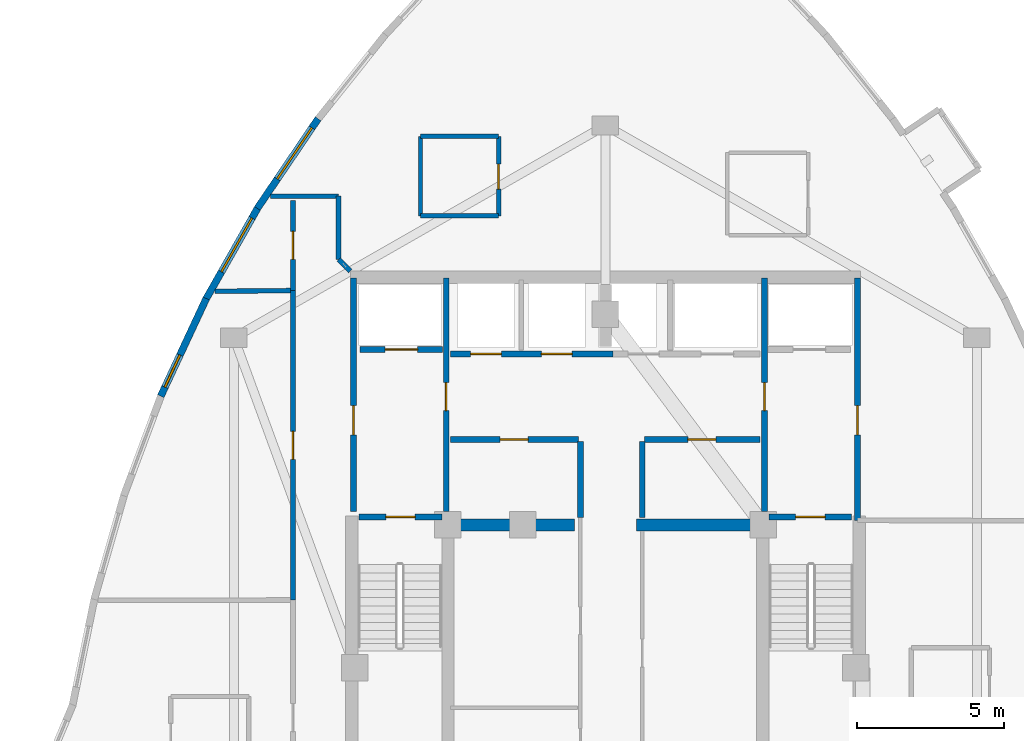
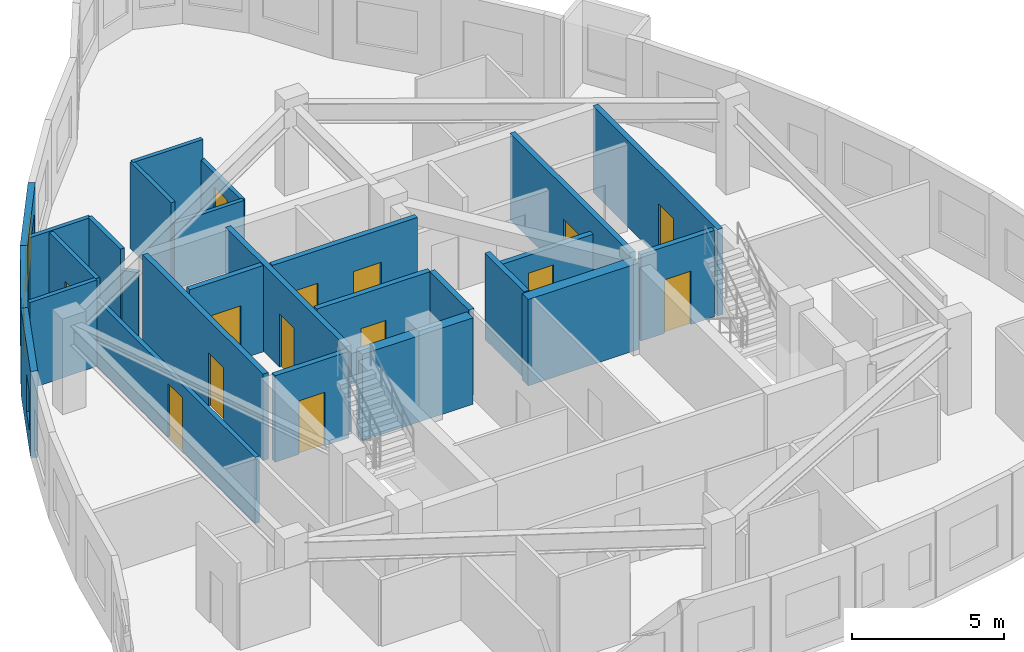
# One storey, part 7 of 10: 27 walls, 14 doors, 3 windows, 17 openings.
"""IFC4 building model written with IfcOpenShell, lengths in metres."""

from ifc_helpers import new_model, si_unit, direction, frame, frame_2d, origin, place, context, subcontext, project, spatial, rectangle, extrude, material, layer, layer_set, type_object, element, fill, save


model = new_model("IFC4")

# Units and contexts
model_context = context("Model", 3, precision=1e-05, world=origin(), true_north=direction((0.0, 1.0)))
body_context = subcontext(model_context, "Body", "Model", "MODEL_VIEW")
ifc_project = project(units=[si_unit("LENGTHUNIT", "METRE"), si_unit("AREAUNIT", "SQUARE_METRE"), si_unit("VOLUMEUNIT", "CUBIC_METRE"), si_unit("PLANEANGLEUNIT", "RADIAN"), si_unit("MASSUNIT", "GRAM", prefix="KILO")], contexts=[model_context])

# Site, building, storey
site_placement = place(None, origin())
site = spatial("IfcSite", under=ifc_project, at=site_placement, CompositionType="ELEMENT")
building_placement = place(site_placement, origin())
building = spatial("IfcBuilding", under=site, at=building_placement, Name="Miruveldt Soraemaru", CompositionType="ELEMENT")
storey_placement = place(building_placement, frame((0.0, 0.0, 278.949951171875)))
storey = spatial("IfcBuildingStorey", under=building, at=storey_placement, Name="L76", CompositionType="ELEMENT", Elevation=278.949951171875)

# Walls
ifc_material_1 = material(Name="Concrete C70/85 (70 MPa)", Category="concrete")
ifc_layer_1 = layer(ifc_material_1, 0.5, Name="Concrete C70/85 (70 MPa)", Category="concrete")
ifc_layer_set_1 = layer_set([ifc_layer_1], Name="Concrete C70/85 (70 MPa)")
wall_type_1 = type_object("IfcWallType", Name="WALL-BW-500", PredefinedType="SHEAR", material=ifc_layer_set_1)
for number, where, z_axis, x_axis, name in (
    (1, (38.75, 44.050048828125, 0.0), (0.0, 0.0, 1.0), (1.0, 0.0, 0.0), "L76 Core Buttress Shear Wall BW"),
    (2, (45.050048828125, 44.050048828125, 0.0), (0.0, 0.0, 1.0), (1.0, 0.0, 0.0), "L76 Core Buttress Shear Wall BE"),
):
    element("IfcWall", number, at=place(storey_placement, frame(where, z_axis=z_axis, x_axis=x_axis)), inside=storey, type_object=wall_type_1, Name=name, PredefinedType="SHEAR", context=body_context, shape_type="SweptSolid", body=[
        extrude(rectangle(XDim=4.199951171875, YDim=0.39990234375, at=frame_2d((2.10009765625, 0.0))), origin(), (0.0, 0.0, 1.0), 3.469970703125),
    ])

# Wall, opening, window
ifc_material_2 = material(Name="Precast concrete C45/55 (45 MPa)", Category="concrete")
ifc_layer_2 = layer(ifc_material_2, 0.239990234375, Name="Precast concrete C45/55 (45 MPa)", Category="concrete")
ifc_layer_set_2 = layer_set([ifc_layer_2], Name="Precast concrete C45/55 (45 MPa)")
wall_type_2 = type_object("IfcWallType", Name="WALL-EXT-PC240", PredefinedType="SOLIDWALL", material=ifc_layer_set_2)
wall_1_placement = place(storey_placement, frame((34.255126953125, 57.830322265625, 0.0), z_axis=(0.0, 0.0, 1.0), x_axis=(-0.560799689529, -0.827951513209, 0.0)))
wall_1 = element("IfcWall", 3, at=wall_1_placement, inside=storey, type_object=wall_type_2, Name="L76 Precast Concrete Facade Wall 9", PredefinedType="SOLIDWALL", context=body_context, shape_type="SweptSolid", body=[
    extrude(rectangle(XDim=3.676513671875, YDim=0.239990234375, at=frame_2d((1.83837890625, 0.0))), origin(), (0.0, 0.0, 1.0), 3.469970703125),
])
opening_1_placement = place(wall_1_placement, frame((0.373046875, 0.0, 0.800048828125)))
opening_1 = element("IfcOpeningElement", 4, at=opening_1_placement, cuts=wall_1, Name="Opening WN-1", PredefinedType="OPENING", context=body_context, shape_type="SweptSolid", body=[
    extrude(rectangle(XDim=2.10009765625, YDim=1.699951171875, at=frame_2d((1.050048828125, 0.85009765625))), frame((0.0, 0.1298828125, 0.0), z_axis=(0.0, -1.0, 0.0), x_axis=(1.0, 0.0, 0.0)), (0.0, 0.0, 1.0), 0.260009765625),
])
ifc_material_3 = material(Name="Triple low-e insulated glazing", Category="glass")
window_type_1 = type_object("IfcWindowType", Name="WIN-PUNCH-2100x1700", PartitioningType="SINGLE_PANEL", PredefinedType="WINDOW", material=ifc_material_3)
window_1_placement = place(opening_1_placement, origin())
window_1 = element("IfcWindow", 5, at=window_1_placement, inside=storey, type_object=window_type_1, Name="L76 Punched Triple-Glazed Window 09.1", OverallHeight=1.699951171875, OverallWidth=2.10009765625, PartitioningType="SINGLE_PANEL", PredefinedType="WINDOW", context=body_context, shape_type="SweptSolid", body=[
    extrude(rectangle(XDim=2.10009765625, YDim=1.699951171875, at=frame_2d((1.050048828125, 0.85009765625))), frame((0.0, 0.030029296875, 0.0), z_axis=(0.0, -1.0, 0.0), x_axis=(1.0, 0.0, 0.0)), (0.0, 0.0, 1.0), 0.06005859375),
])
fill(opening_1, window_1)

wall_2_placement = place(storey_placement, frame((32.230224609375, 54.845703125, 0.0), z_axis=(0.0, 0.0, 1.0), x_axis=(-0.493401980541, -0.869801405838, 0.0)))
wall_2 = element("IfcWall", 6, at=wall_2_placement, inside=storey, type_object=wall_type_2, Name="L76 Precast Concrete Facade Wall 10", PredefinedType="SOLIDWALL", context=body_context, shape_type="SweptSolid", body=[
    extrude(rectangle(XDim=3.653564453125, YDim=0.239990234375, at=frame_2d((1.82666015625, 0.0))), origin(), (0.0, 0.0, 1.0), 3.469970703125),
])
opening_2_placement = place(wall_2_placement, frame((0.443115234375, 0.0, 0.800048828125)))
opening_2 = element("IfcOpeningElement", 7, at=opening_2_placement, cuts=wall_2, Name="Opening WN-1", PredefinedType="OPENING", context=body_context, shape_type="SweptSolid", body=[
    extrude(rectangle(XDim=2.10009765625, YDim=1.699951171875, at=frame_2d((1.050048828125, 0.85009765625))), frame((0.0, 0.1298828125, 0.0), z_axis=(0.0, -1.0, 0.0), x_axis=(1.0, 0.0, 0.0)), (0.0, 0.0, 1.0), 0.260009765625),
])
window_2_placement = place(opening_2_placement, origin())
window_2 = element("IfcWindow", 8, at=window_2_placement, inside=storey, type_object=window_type_1, Name="L76 Punched Triple-Glazed Window 10.1", OverallHeight=1.699951171875, OverallWidth=2.10009765625, PartitioningType="SINGLE_PANEL", PredefinedType="WINDOW", context=body_context, shape_type="SweptSolid", body=[
    extrude(rectangle(XDim=2.10009765625, YDim=1.699951171875, at=frame_2d((1.050048828125, 0.85009765625))), frame((0.0, 0.030029296875, 0.0), z_axis=(0.0, -1.0, 0.0), x_axis=(1.0, 0.0, 0.0)), (0.0, 0.0, 1.0), 0.06005859375),
])
fill(opening_2, window_2)

wall_3_placement = place(storey_placement, frame((30.459716796875, 51.729736328125, 0.0), z_axis=(0.0, 0.0, 1.0), x_axis=(-0.422373268801, -0.906421988812, 0.0)))
wall_3 = element("IfcWall", 9, at=wall_3_placement, inside=storey, type_object=wall_type_2, Name="L76 Precast Concrete Facade Wall 11", PredefinedType="SOLIDWALL", context=body_context, shape_type="SweptSolid", body=[
    extrude(rectangle(XDim=3.653564453125, YDim=0.239990234375, at=frame_2d((1.82666015625, 0.0))), origin(), (0.0, 0.0, 1.0), 3.469970703125),
])
opening_3_placement = place(wall_3_placement, frame((2.115966796875, 0.0, 0.780029296875)))
opening_3 = element("IfcOpeningElement", 10, at=opening_3_placement, cuts=wall_3, Name="Opening WN-4", PredefinedType="OPENING", context=body_context, shape_type="SweptSolid", body=[
    extrude(rectangle(XDim=1.199951171875, YDim=1.550048828125, at=frame_2d((0.60009765625, 0.77490234375))), frame((0.0, 0.1298828125, 0.0), z_axis=(0.0, -1.0, 0.0), x_axis=(1.0, 0.0, 0.0)), (0.0, 0.0, 1.0), 0.260009765625),
])
window_type_2 = type_object("IfcWindowType", Name="WIN-PUNCH-1200x1550", PartitioningType="SINGLE_PANEL", PredefinedType="WINDOW", material=ifc_material_3)
window_3_placement = place(opening_3_placement, origin())
window_3 = element("IfcWindow", 11, at=window_3_placement, inside=storey, type_object=window_type_2, Name="L76 Punched Triple-Glazed Window 11.1", OverallHeight=1.550048828125, OverallWidth=1.199951171875, PartitioningType="SINGLE_PANEL", PredefinedType="WINDOW", context=body_context, shape_type="SweptSolid", body=[
    extrude(rectangle(XDim=1.199951171875, YDim=1.550048828125, at=frame_2d((0.60009765625, 0.77490234375))), frame((0.0, 0.030029296875, 0.0), z_axis=(0.0, -1.0, 0.0), x_axis=(1.0, 0.0, 0.0)), (0.0, 0.0, 1.0), 0.06005859375),
])
fill(opening_3, window_3)

# Wall, opening, door
ifc_material_4 = material(Name="Gypsum plasterboard lining", Category="gypsum")
ifc_layer_3 = layer(ifc_material_4, 0.14990234375, Name="Gypsum plasterboard lining", Category="gypsum")
ifc_layer_set_3 = layer_set([ifc_layer_3], Name="Gypsum plasterboard lining")
wall_type_3 = type_object("IfcWallType", Name="WALL-INT-PLUMB", PredefinedType="PLUMBINGWALL", material=ifc_layer_set_3)
wall_4_placement = place(storey_placement, frame((40.3779296875, 54.530029296875, 0.0), z_axis=(0.0, 0.0, 1.0), x_axis=(0.0, 1.0, 0.0)))
wall_4 = element("IfcWall", 12, at=wall_4_placement, inside=storey, type_object=wall_type_3, Name="L76 Partition Wall 11", PredefinedType="PLUMBINGWALL", context=body_context, shape_type="SweptSolid", body=[
    extrude(rectangle(XDim=2.699951171875, YDim=0.14990234375, at=frame_2d((1.35009765625, 0.0))), origin(), (0.0, 0.0, 1.0), 2.657958984375),
])
opening_4_placement = place(wall_4_placement, frame((0.909912109375, 0.0, 0.0)))
opening_4 = element("IfcOpeningElement", 13, at=opening_4_placement, cuts=wall_4, Name="Opening FD3", PredefinedType="OPENING", context=body_context, shape_type="SweptSolid", body=[
    extrude(rectangle(XDim=0.85009765625, YDim=2.10009765625, at=frame_2d((0.425048828125, 1.050048828125))), frame((0.0, 0.0849609375, 0.0), z_axis=(0.0, -1.0, 0.0), x_axis=(1.0, 0.0, 0.0)), (0.0, 0.0, 1.0), 0.169921875),
])
ifc_material_5 = material(Name="Anodised aluminium EN AW-6063 T6", Category="aluminium")
door_type_1 = type_object("IfcDoorType", Name="DOOR-FD3-850", OperationType="NOTDEFINED", PredefinedType="DOOR", material=ifc_material_5)
door_1_placement = place(opening_4_placement, origin())
door_1 = element("IfcDoor", 14, at=door_1_placement, inside=storey, type_object=door_type_1, Name="L76 Unit CL01 BTH Door", OperationType="SINGLE_SWING_LEFT", OverallHeight=2.10009765625, OverallWidth=0.85009765625, PredefinedType="DOOR", context=body_context, shape_type="SweptSolid", body=[
    extrude(rectangle(XDim=0.85009765625, YDim=2.10009765625, at=frame_2d((0.425048828125, 1.050048828125))), frame((0.0, 0.02490234375, 0.0), z_axis=(0.0, -1.0, 0.0), x_axis=(1.0, 0.0, 0.0)), (0.0, 0.0, 1.0), 0.050048828125),
])
fill(opening_4, door_1)

# Walls
wall_5_placement = place(storey_placement, frame((37.72802734375, 57.22998046875, 0.0), z_axis=(0.0, 0.0, 1.0), x_axis=(0.0, -1.0, 0.0)))
element("IfcWall", 15, at=wall_5_placement, inside=storey, type_object=wall_type_3, Name="L76 Partition Wall 13", PredefinedType="PLUMBINGWALL", context=body_context, shape_type="SweptSolid", body=[
    extrude(rectangle(XDim=2.699951171875, YDim=0.14990234375, at=frame_2d((1.35009765625, 0.0))), origin(), (0.0, 0.0, 1.0), 3.469970703125),
])
wall_6_placement = place(storey_placement, frame((40.3779296875, 57.22998046875, 0.0), z_axis=(0.0, 0.0, 1.0), x_axis=(-1.0, 0.0, 0.0)))
element("IfcWall", 16, at=wall_6_placement, inside=storey, type_object=wall_type_3, Name="L76 Partition Wall 12", PredefinedType="PLUMBINGWALL", context=body_context, shape_type="SweptSolid", body=[
    extrude(rectangle(XDim=2.64990234375, YDim=0.14990234375, at=frame_2d((1.324951171875, 0.0))), origin(), (0.0, 0.0, 1.0), 3.469970703125),
])
wall_7_placement = place(storey_placement, frame((37.72802734375, 54.530029296875, 0.0), z_axis=(0.0, 0.0, 1.0), x_axis=(1.0, 0.0, 0.0)))
element("IfcWall", 17, at=wall_7_placement, inside=storey, type_object=wall_type_3, Name="L76 Partition Wall 14", PredefinedType="PLUMBINGWALL", context=body_context, shape_type="SweptSolid", body=[
    extrude(rectangle(XDim=2.64990234375, YDim=0.14990234375, at=frame_2d((1.324951171875, 0.0))), origin(), (0.0, 0.0, 1.0), 2.657958984375),
])

# Wall, opening, door
ifc_material_6 = material(Name="Concrete C40/50 (40 MPa)", Category="concrete")
ifc_layer_4 = layer(ifc_material_6, 0.159912109375, Name="Concrete C40/50 (40 MPa)", Category="concrete")
ifc_layer_set_4 = layer_set([ifc_layer_4], Name="Concrete C40/50 (40 MPa)")
wall_type_4 = type_object("IfcWallType", Name="WALL-INT-RC160", PredefinedType="SOLIDWALL", material=ifc_layer_set_4)
wall_8_placement = place(storey_placement, frame((33.39990234375, 52.0, 0.0), z_axis=(0.0, 0.0, 1.0), x_axis=(0.0, -1.0, 0.0)))
wall_8 = element("IfcWall", 18, at=wall_8_placement, inside=storey, type_object=wall_type_4, Name="L76 Partition Wall 4", PredefinedType="SOLIDWALL", context=body_context, shape_type="SweptSolid", body=[
    extrude(rectangle(XDim=10.5, YDim=0.159912109375, at=frame_2d((5.25, 0.0))), origin(), (0.0, 0.0, 1.0), 2.657958984375),
])
opening_5_placement = place(wall_8_placement, frame((4.77490234375, 0.0, 0.0)))
opening_5 = element("IfcOpeningElement", 19, at=opening_5_placement, cuts=wall_8, Name="Opening FD2", PredefinedType="OPENING", context=body_context, shape_type="SweptSolid", body=[
    extrude(rectangle(XDim=0.949951171875, YDim=2.14990234375, at=frame_2d((0.47509765625, 1.074951171875))), frame((0.0, 0.08984375, 0.0), z_axis=(0.0, -1.0, 0.0), x_axis=(1.0, 0.0, 0.0)), (0.0, 0.0, 1.0), 0.179931640625),
])
door_type_2 = type_object("IfcDoorType", Name="DOOR-FD2-950", OperationType="NOTDEFINED", PredefinedType="DOOR", material=ifc_material_5)
door_2_placement = place(opening_5_placement, origin())
door_2 = element("IfcDoor", 20, at=door_2_placement, inside=storey, type_object=door_type_2, Name="L76 Unit CL02 Entrance Fire Door", OperationType="SINGLE_SWING_LEFT", OverallHeight=2.14990234375, OverallWidth=0.949951171875, PredefinedType="DOOR", context=body_context, shape_type="SweptSolid", body=[
    extrude(rectangle(XDim=0.949951171875, YDim=2.14990234375, at=frame_2d((0.47509765625, 1.074951171875))), frame((0.0, 0.02490234375, 0.0), z_axis=(0.0, -1.0, 0.0), x_axis=(1.0, 0.0, 0.0)), (0.0, 0.0, 1.0), 0.050048828125),
])
fill(opening_5, door_2)

wall_9_placement = place(storey_placement, frame((33.39990234375, 55.06005859375, 0.0), z_axis=(0.0, 0.0, 1.0), x_axis=(0.0, -1.0, 0.0)))
wall_9 = element("IfcWall", 21, at=wall_9_placement, inside=storey, type_object=wall_type_4, Name="L76 Partition Wall 3", PredefinedType="SOLIDWALL", context=body_context, shape_type="SweptSolid", body=[
    extrude(rectangle(XDim=3.05712890625, YDim=0.159912109375, at=frame_2d((1.528564453125, 0.0))), origin(), (0.0, 0.0, 1.0), 3.469970703125),
])
opening_6_placement = place(wall_9_placement, frame((1.053955078125, 0.0, 0.0)))
opening_6 = element("IfcOpeningElement", 22, at=opening_6_placement, cuts=wall_9, Name="Opening FD2", PredefinedType="OPENING", context=body_context, shape_type="SweptSolid", body=[
    extrude(rectangle(XDim=0.949951171875, YDim=2.14990234375, at=frame_2d((0.47509765625, 1.074951171875))), frame((0.0, 0.08984375, 0.0), z_axis=(0.0, -1.0, 0.0), x_axis=(1.0, 0.0, 0.0)), (0.0, 0.0, 1.0), 0.179931640625),
])
door_3_placement = place(opening_6_placement, origin())
door_3 = element("IfcDoor", 23, at=door_3_placement, inside=storey, type_object=door_type_2, Name="L76 Unit CL01 Entrance Fire Door", OperationType="SINGLE_SWING_RIGHT", OverallHeight=2.14990234375, OverallWidth=0.949951171875, PredefinedType="DOOR", context=body_context, shape_type="SweptSolid", body=[
    extrude(rectangle(XDim=0.949951171875, YDim=2.14990234375, at=frame_2d((0.47509765625, 1.074951171875))), frame((0.0, 0.02490234375, 0.0), z_axis=(0.0, -1.0, 0.0), x_axis=(1.0, 0.0, 0.0)), (0.0, 0.0, 1.0), 0.050048828125),
])
fill(opening_6, door_3)

# Walls
wall_10_placement = place(storey_placement, frame((30.756103515625, 51.972900390625, 0.0), z_axis=(0.0, 0.0, 1.0), x_axis=(0.999948100913, 0.010188006741, 0.0)))
element("IfcWall", 24, at=wall_10_placement, inside=storey, type_object=wall_type_4, Name="L76 Partition Wall 19", PredefinedType="SOLIDWALL", context=body_context, shape_type="SweptSolid", body=[
    extrude(rectangle(XDim=2.564208984375, YDim=0.159912109375, at=frame_2d((1.2822265625, 0.0))), origin(), (0.0, 0.0, 1.0), 3.469970703125),
])
wall_11_placement = place(storey_placement, frame((34.949951171875, 55.199951171875, 0.0), z_axis=(0.0, 0.0, 1.0), x_axis=(-1.0, 0.0, 0.0)))
element("IfcWall", 25, at=wall_11_placement, inside=storey, type_object=wall_type_4, Name="L76 Partition Wall 2", PredefinedType="SOLIDWALL", context=body_context, shape_type="SweptSolid", body=[
    extrude(rectangle(XDim=2.31396484375, YDim=0.159912109375, at=frame_2d((1.156982421875, 0.0))), origin(), (0.0, 0.0, 1.0), 3.469970703125),
])
wall_12_placement = place(storey_placement, frame((34.949951171875, 53.054931640625, 0.0), z_axis=(0.0, 0.0, 1.0), x_axis=(0.0, 1.0, 0.0)))
element("IfcWall", 26, at=wall_12_placement, inside=storey, type_object=wall_type_4, Name="L76 Partition Wall 1", PredefinedType="SOLIDWALL", context=body_context, shape_type="SweptSolid", body=[
    extrude(rectangle(XDim=2.14501953125, YDim=0.159912109375, at=frame_2d((1.072509765625, 0.0))), origin(), (0.0, 0.0, 1.0), 3.469970703125),
])
wall_13_placement = place(storey_placement, frame((34.949951171875, 53.054931640625, 0.0), z_axis=(0.0, 0.0, 1.0), x_axis=(0.711651166781, -0.70253300052, 0.0)))
element("IfcWall", 27, at=wall_13_placement, inside=storey, type_object=wall_type_4, Name="L76 Partition Closure Return 1", PredefinedType="SOLIDWALL", context=body_context, shape_type="SweptSolid", body=[
    extrude(rectangle(XDim=0.562255859375, YDim=0.159912109375, at=frame_2d((0.28125, 0.0))), origin(), (0.0, 0.0, 1.0), 2.657958984375),
])

# Wall, opening, door
ifc_layer_5 = layer(ifc_material_6, 0.199951171875, Name="Concrete C40/50 (40 MPa)", Category="concrete")
ifc_layer_set_5 = layer_set([ifc_layer_5], Name="Concrete C40/50 (40 MPa)")
wall_type_5 = type_object("IfcWallType", Name="WALL-INT-RC200", PredefinedType="SOLIDWALL", material=ifc_layer_set_5)
wall_14_placement = place(storey_placement, frame((52.550048828125, 44.20556640625, 0.0), z_axis=(0.0, 0.0, 1.0), x_axis=(0.0, 1.0, 0.0)))
wall_14 = element("IfcWall", 28, at=wall_14_placement, inside=storey, type_object=wall_type_5, Name="L76 Core Compartment Wall FFE-OUT", PredefinedType="SOLIDWALL", context=body_context, shape_type="SweptSolid", body=[
    extrude(rectangle(XDim=8.21435546875, YDim=0.199951171875, at=frame_2d((4.107177734375, 0.0))), origin(), (0.0, 0.0, 1.0), 3.469970703125),
])
opening_7_placement = place(wall_14_placement, frame((2.89404296875, 0.0, 0.0)))
opening_7 = element("IfcOpeningElement", 29, at=opening_7_placement, cuts=wall_14, Name="Opening FD1", PredefinedType="OPENING", context=body_context, shape_type="SweptSolid", body=[
    extrude(rectangle(XDim=1.0, YDim=2.14990234375, at=frame_2d((0.5, 1.074951171875))), frame((0.0, 0.10986328125, 0.0), z_axis=(0.0, -1.0, 0.0), x_axis=(1.0, 0.0, 0.0)), (0.0, 0.0, 1.0), 0.219970703125),
])
door_type_3 = type_object("IfcDoorType", Name="DOOR-FD1-1000", OperationType="NOTDEFINED", PredefinedType="DOOR", material=ifc_material_5)
door_4_placement = place(opening_7_placement, frame((1.0, 0.0, 0.0), z_axis=(0.0, 0.0, 1.0), x_axis=(-1.0, 0.0, 0.0)))
door_4 = element("IfcDoor", 30, at=door_4_placement, inside=storey, type_object=door_type_3, Name="L76 East Firefighting Lobby Exit Door", OperationType="SINGLE_SWING_RIGHT", OverallHeight=2.14990234375, OverallWidth=1.0, PredefinedType="DOOR", context=body_context, shape_type="SweptSolid", body=[
    extrude(rectangle(XDim=1.0, YDim=2.14990234375, at=frame_2d((0.5, 1.074951171875))), frame((0.0, 0.02490234375, 0.0), z_axis=(0.0, -1.0, 0.0), x_axis=(1.0, 0.0, 0.0)), (0.0, 0.0, 1.0), 0.050048828125),
])
fill(opening_7, door_4)

wall_15_placement = place(storey_placement, frame((35.449951171875, 44.5, 0.0), z_axis=(0.0, 0.0, 1.0), x_axis=(0.0, 1.0, 0.0)))
wall_15 = element("IfcWall", 31, at=wall_15_placement, inside=storey, type_object=wall_type_5, Name="L76 Core Compartment Wall FFW-OUT", PredefinedType="SOLIDWALL", context=body_context, shape_type="SweptSolid", body=[
    extrude(rectangle(XDim=7.919921875, YDim=0.199951171875, at=frame_2d((3.9599609375, 0.0))), origin(), (0.0, 0.0, 1.0), 3.469970703125),
])
opening_8_placement = place(wall_15_placement, frame((2.60009765625, 0.0, 0.0)))
opening_8 = element("IfcOpeningElement", 32, at=opening_8_placement, cuts=wall_15, Name="Opening FD1", PredefinedType="OPENING", context=body_context, shape_type="SweptSolid", body=[
    extrude(rectangle(XDim=1.0, YDim=2.14990234375, at=frame_2d((0.5, 1.074951171875))), frame((0.0, 0.10986328125, 0.0), z_axis=(0.0, -1.0, 0.0), x_axis=(1.0, 0.0, 0.0)), (0.0, 0.0, 1.0), 0.219970703125),
])
door_5_placement = place(opening_8_placement, origin())
door_5 = element("IfcDoor", 33, at=door_5_placement, inside=storey, type_object=door_type_3, Name="L76 West Firefighting Lobby Exit Door", OperationType="SINGLE_SWING_LEFT", OverallHeight=2.14990234375, OverallWidth=1.0, PredefinedType="DOOR", context=body_context, shape_type="SweptSolid", body=[
    extrude(rectangle(XDim=1.0, YDim=2.14990234375, at=frame_2d((0.5, 1.074951171875))), frame((0.0, 0.02490234375, 0.0), z_axis=(0.0, -1.0, 0.0), x_axis=(1.0, 0.0, 0.0)), (0.0, 0.0, 1.0), 0.050048828125),
])
fill(opening_8, door_5)

wall_16_placement = place(storey_placement, frame((38.60009765625, 44.5, 0.0), z_axis=(0.0, 0.0, 1.0), x_axis=(0.0, 1.0, 0.0)))
wall_16 = element("IfcWall", 34, at=wall_16_placement, inside=storey, type_object=wall_type_5, Name="L76 Core Compartment Wall FFW-IN", PredefinedType="SOLIDWALL", context=body_context, shape_type="SweptSolid", body=[
    extrude(rectangle(XDim=7.919921875, YDim=0.199951171875, at=frame_2d((3.9599609375, 0.0))), origin(), (0.0, 0.0, 1.0), 3.469970703125),
])
opening_9_placement = place(wall_16_placement, frame((3.425048828125, 0.0, 0.0)))
opening_9 = element("IfcOpeningElement", 35, at=opening_9_placement, cuts=wall_16, Name="Opening FD2", PredefinedType="OPENING", context=body_context, shape_type="SweptSolid", body=[
    extrude(rectangle(XDim=0.949951171875, YDim=2.14990234375, at=frame_2d((0.47509765625, 1.074951171875))), frame((0.0, 0.10986328125, 0.0), z_axis=(0.0, -1.0, 0.0), x_axis=(1.0, 0.0, 0.0)), (0.0, 0.0, 1.0), 0.219970703125),
])
door_6_placement = place(opening_9_placement, frame((0.949951171875, 0.0, 0.0), z_axis=(0.0, 0.0, 1.0), x_axis=(-1.0, 0.0, 0.0)))
door_6 = element("IfcDoor", 36, at=door_6_placement, inside=storey, type_object=door_type_2, Name="L76 Lift Lobby to West Fire Lobby Door", OperationType="SINGLE_SWING_RIGHT", OverallHeight=2.14990234375, OverallWidth=0.949951171875, PredefinedType="DOOR", context=body_context, shape_type="SweptSolid", body=[
    extrude(rectangle(XDim=0.949951171875, YDim=2.14990234375, at=frame_2d((0.47509765625, 1.074951171875))), frame((0.0, 0.02490234375, 0.0), z_axis=(0.0, -1.0, 0.0), x_axis=(1.0, 0.0, 0.0)), (0.0, 0.0, 1.0), 0.050048828125),
])
fill(opening_9, door_6)

wall_17_placement = place(storey_placement, frame((49.39990234375, 44.5, 0.0), z_axis=(0.0, 0.0, 1.0), x_axis=(0.0, 1.0, 0.0)))
wall_17 = element("IfcWall", 37, at=wall_17_placement, inside=storey, type_object=wall_type_5, Name="L76 Core Compartment Wall FFE-IN", PredefinedType="SOLIDWALL", context=body_context, shape_type="SweptSolid", body=[
    extrude(rectangle(XDim=7.919921875, YDim=0.199951171875, at=frame_2d((3.9599609375, 0.0))), origin(), (0.0, 0.0, 1.0), 3.469970703125),
])
opening_10_placement = place(wall_17_placement, frame((3.425048828125, 0.0, 0.0)))
opening_10 = element("IfcOpeningElement", 38, at=opening_10_placement, cuts=wall_17, Name="Opening FD2", PredefinedType="OPENING", context=body_context, shape_type="SweptSolid", body=[
    extrude(rectangle(XDim=0.949951171875, YDim=2.14990234375, at=frame_2d((0.47509765625, 1.074951171875))), frame((0.0, 0.10986328125, 0.0), z_axis=(0.0, -1.0, 0.0), x_axis=(1.0, 0.0, 0.0)), (0.0, 0.0, 1.0), 0.219970703125),
])
door_7_placement = place(opening_10_placement, origin())
door_7 = element("IfcDoor", 39, at=door_7_placement, inside=storey, type_object=door_type_2, Name="L76 Lift Lobby to East Fire Lobby Door", OperationType="SINGLE_SWING_LEFT", OverallHeight=2.14990234375, OverallWidth=0.949951171875, PredefinedType="DOOR", context=body_context, shape_type="SweptSolid", body=[
    extrude(rectangle(XDim=0.949951171875, YDim=2.14990234375, at=frame_2d((0.47509765625, 1.074951171875))), frame((0.0, 0.02490234375, 0.0), z_axis=(0.0, -1.0, 0.0), x_axis=(1.0, 0.0, 0.0)), (0.0, 0.0, 1.0), 0.050048828125),
])
fill(opening_10, door_7)

# Wall, openings, doors
wall_18_placement = place(storey_placement, frame((38.75, 49.85009765625, 0.0), z_axis=(0.0, 0.0, 1.0), x_axis=(1.0, 0.0, 0.0)))
wall_18 = element("IfcWall", 40, at=wall_18_placement, inside=storey, type_object=wall_type_5, Name="L76 Core Compartment Wall ROWA-SW", PredefinedType="SOLIDWALL", context=body_context, shape_type="SweptSolid", body=[
    extrude(rectangle(XDim=5.5, YDim=0.199951171875, at=frame_2d((2.75, 0.0))), origin(), (0.0, 0.0, 1.0), 3.469970703125),
])
opening_11_placement = place(wall_18_placement, frame((0.675048828125, 0.0, 0.0)))
opening_11 = element("IfcOpeningElement", 41, at=opening_11_placement, cuts=wall_18, Name="Opening LD1", PredefinedType="OPENING", context=body_context, shape_type="SweptSolid", body=[
    extrude(rectangle(XDim=1.050048828125, YDim=2.14990234375, at=frame_2d((0.52490234375, 1.074951171875))), frame((0.0, 0.10986328125, 0.0), z_axis=(0.0, -1.0, 0.0), x_axis=(1.0, 0.0, 0.0)), (0.0, 0.0, 1.0), 0.219970703125),
])
opening_12_placement = place(wall_18_placement, frame((3.074951171875, 0.0, 0.0)))
opening_12 = element("IfcOpeningElement", 42, at=opening_12_placement, cuts=wall_18, Name="Opening LD1", PredefinedType="OPENING", context=body_context, shape_type="SweptSolid", body=[
    extrude(rectangle(XDim=1.050048828125, YDim=2.14990234375, at=frame_2d((0.52490234375, 1.074951171875))), frame((0.0, 0.10986328125, 0.0), z_axis=(0.0, -1.0, 0.0), x_axis=(1.0, 0.0, 0.0)), (0.0, 0.0, 1.0), 0.219970703125),
])
door_type_4 = type_object("IfcDoorType", Name="DOOR-LD1-1050", OperationType="SLIDING_TO_LEFT", PredefinedType="DOOR", material=ifc_material_5)
door_8_placement = place(opening_11_placement, origin())
door_8 = element("IfcDoor", 43, at=door_8_placement, inside=storey, type_object=door_type_4, Name="L76 PL-H1 Landing Door", OperationType="SLIDING_TO_LEFT", OverallHeight=2.14990234375, OverallWidth=1.050048828125, PredefinedType="DOOR", context=body_context, shape_type="SweptSolid", body=[
    extrude(rectangle(XDim=1.050048828125, YDim=2.14990234375, at=frame_2d((0.52490234375, 1.074951171875))), frame((0.0, 0.02490234375, 0.0), z_axis=(0.0, -1.0, 0.0), x_axis=(1.0, 0.0, 0.0)), (0.0, 0.0, 1.0), 0.050048828125),
])
fill(opening_11, door_8)
door_9_placement = place(opening_12_placement, origin())
door_9 = element("IfcDoor", 44, at=door_9_placement, inside=storey, type_object=door_type_4, Name="L76 PL-H2 Landing Door", OperationType="SLIDING_TO_LEFT", OverallHeight=2.14990234375, OverallWidth=1.050048828125, PredefinedType="DOOR", context=body_context, shape_type="SweptSolid", body=[
    extrude(rectangle(XDim=1.050048828125, YDim=2.14990234375, at=frame_2d((0.52490234375, 1.074951171875))), frame((0.0, 0.02490234375, 0.0), z_axis=(0.0, -1.0, 0.0), x_axis=(1.0, 0.0, 0.0)), (0.0, 0.0, 1.0), 0.050048828125),
])
fill(opening_12, door_9)

# Wall, opening, door
wall_19_placement = place(storey_placement, frame((38.75, 46.949951171875, 0.0), z_axis=(0.0, 0.0, 1.0), x_axis=(1.0, 0.0, 0.0)))
wall_19 = element("IfcWall", 45, at=wall_19_placement, inside=storey, type_object=wall_type_5, Name="L76 Core Compartment Wall MBW-N", PredefinedType="SOLIDWALL", context=body_context, shape_type="SweptSolid", body=[
    extrude(rectangle(XDim=4.330078125, YDim=0.199951171875, at=frame_2d((2.1650390625, 0.0))), origin(), (0.0, 0.0, 1.0), 3.469970703125),
])
opening_13_placement = place(wall_19_placement, frame((1.675048828125, 0.0, 0.0)))
opening_13 = element("IfcOpeningElement", 46, at=opening_13_placement, cuts=wall_19, Name="Opening D2", PredefinedType="OPENING", context=body_context, shape_type="SweptSolid", body=[
    extrude(rectangle(XDim=0.949951171875, YDim=2.10009765625, at=frame_2d((0.47509765625, 1.050048828125))), frame((0.0, 0.10986328125, 0.0), z_axis=(0.0, -1.0, 0.0), x_axis=(1.0, 0.0, 0.0)), (0.0, 0.0, 1.0), 0.219970703125),
])
door_type_5 = type_object("IfcDoorType", Name="DOOR-INT-950", OperationType="NOTDEFINED", PredefinedType="DOOR", material=ifc_material_5)
door_10_placement = place(opening_13_placement, origin())
door_10 = element("IfcDoor", 47, at=door_10_placement, inside=storey, type_object=door_type_5, Name="L76 Fire Door", OperationType="SINGLE_SWING_LEFT", OverallHeight=2.10009765625, OverallWidth=0.949951171875, PredefinedType="DOOR", context=body_context, shape_type="SweptSolid", body=[
    extrude(rectangle(XDim=0.949951171875, YDim=2.10009765625, at=frame_2d((0.47509765625, 1.050048828125))), frame((0.0, 0.02490234375, 0.0), z_axis=(0.0, -1.0, 0.0), x_axis=(1.0, 0.0, 0.0)), (0.0, 0.0, 1.0), 0.050048828125),
])
fill(opening_13, door_10)

wall_20_placement = place(storey_placement, frame((45.320068359375, 46.949951171875, 0.0), z_axis=(0.0, 0.0, 1.0), x_axis=(1.0, 0.0, 0.0)))
wall_20 = element("IfcWall", 48, at=wall_20_placement, inside=storey, type_object=wall_type_5, Name="L76 Core Compartment Wall MBE-N", PredefinedType="SOLIDWALL", context=body_context, shape_type="SweptSolid", body=[
    extrude(rectangle(XDim=3.929931640625, YDim=0.199951171875, at=frame_2d((1.96484375, 0.0))), origin(), (0.0, 0.0, 1.0), 2.80810546875),
])
opening_14_placement = place(wall_20_placement, frame((1.47509765625, 0.0, 0.0)))
opening_14 = element("IfcOpeningElement", 49, at=opening_14_placement, cuts=wall_20, Name="Opening D2", PredefinedType="OPENING", context=body_context, shape_type="SweptSolid", body=[
    extrude(rectangle(XDim=0.949951171875, YDim=2.10009765625, at=frame_2d((0.47509765625, 1.050048828125))), frame((0.0, 0.10986328125, 0.0), z_axis=(0.0, -1.0, 0.0), x_axis=(1.0, 0.0, 0.0)), (0.0, 0.0, 1.0), 0.219970703125),
])
door_11_placement = place(opening_14_placement, origin())
door_11 = element("IfcDoor", 50, at=door_11_placement, inside=storey, type_object=door_type_5, Name="L76 Fire Door", OperationType="SINGLE_SWING_LEFT", OverallHeight=2.10009765625, OverallWidth=0.949951171875, PredefinedType="DOOR", context=body_context, shape_type="SweptSolid", body=[
    extrude(rectangle(XDim=0.949951171875, YDim=2.10009765625, at=frame_2d((0.47509765625, 1.050048828125))), frame((0.0, 0.02490234375, 0.0), z_axis=(0.0, -1.0, 0.0), x_axis=(1.0, 0.0, 0.0)), (0.0, 0.0, 1.0), 0.050048828125),
])
fill(opening_14, door_11)

wall_21_placement = place(storey_placement, frame((35.64990234375, 44.320068359375, 0.0), z_axis=(0.0, 0.0, 1.0), x_axis=(1.0, 0.0, 0.0)))
wall_21 = element("IfcWall", 51, at=wall_21_placement, inside=storey, type_object=wall_type_5, Name="L76 Core Compartment Wall ST1-N", PredefinedType="SOLIDWALL", context=body_context, shape_type="SweptSolid", body=[
    extrude(rectangle(XDim=2.800048828125, YDim=0.199951171875, at=frame_2d((1.39990234375, 0.0))), origin(), (0.0, 0.0, 1.0), 3.469970703125),
])
opening_15_placement = place(wall_21_placement, frame((0.89990234375, 0.0, 0.0)))
opening_15 = element("IfcOpeningElement", 52, at=opening_15_placement, cuts=wall_21, Name="Opening FD1", PredefinedType="OPENING", context=body_context, shape_type="SweptSolid", body=[
    extrude(rectangle(XDim=1.0, YDim=2.14990234375, at=frame_2d((0.5, 1.074951171875))), frame((0.0, 0.10986328125, 0.0), z_axis=(0.0, -1.0, 0.0), x_axis=(1.0, 0.0, 0.0)), (0.0, 0.0, 1.0), 0.219970703125),
])
door_12_placement = place(opening_15_placement, frame((1.0, 0.0, 0.0), z_axis=(0.0, 0.0, 1.0), x_axis=(-1.0, 0.0, 0.0)))
door_12 = element("IfcDoor", 53, at=door_12_placement, inside=storey, type_object=door_type_3, Name="L76 Stair ST-1 Fire Door", OperationType="SINGLE_SWING_LEFT", OverallHeight=2.14990234375, OverallWidth=1.0, PredefinedType="DOOR", context=body_context, shape_type="SweptSolid", body=[
    extrude(rectangle(XDim=1.0, YDim=2.14990234375, at=frame_2d((0.5, 1.074951171875))), frame((0.0, 0.02490234375, 0.0), z_axis=(0.0, -1.0, 0.0), x_axis=(1.0, 0.0, 0.0)), (0.0, 0.0, 1.0), 0.050048828125),
])
fill(opening_15, door_12)

wall_22_placement = place(storey_placement, frame((49.550048828125, 44.320068359375, 0.0), z_axis=(0.0, 0.0, 1.0), x_axis=(1.0, 0.0, 0.0)))
wall_22 = element("IfcWall", 54, at=wall_22_placement, inside=storey, type_object=wall_type_5, Name="L76 Core Compartment Wall ST2-N", PredefinedType="SOLIDWALL", context=body_context, shape_type="SweptSolid", body=[
    extrude(rectangle(XDim=2.800048828125, YDim=0.199951171875, at=frame_2d((1.39990234375, 0.0))), origin(), (0.0, 0.0, 1.0), 3.469970703125),
])
opening_16_placement = place(wall_22_placement, frame((0.89990234375, 0.0, 0.0)))
opening_16 = element("IfcOpeningElement", 55, at=opening_16_placement, cuts=wall_22, Name="Opening FD1", PredefinedType="OPENING", context=body_context, shape_type="SweptSolid", body=[
    extrude(rectangle(XDim=1.0, YDim=2.14990234375, at=frame_2d((0.5, 1.074951171875))), frame((0.0, 0.10986328125, 0.0), z_axis=(0.0, -1.0, 0.0), x_axis=(1.0, 0.0, 0.0)), (0.0, 0.0, 1.0), 0.219970703125),
])
door_13_placement = place(opening_16_placement, frame((1.0, 0.0, 0.0), z_axis=(0.0, 0.0, 1.0), x_axis=(-1.0, 0.0, 0.0)))
door_13 = element("IfcDoor", 56, at=door_13_placement, inside=storey, type_object=door_type_3, Name="L76 Stair ST-2 Fire Door", OperationType="SINGLE_SWING_RIGHT", OverallHeight=2.14990234375, OverallWidth=1.0, PredefinedType="DOOR", context=body_context, shape_type="SweptSolid", body=[
    extrude(rectangle(XDim=1.0, YDim=2.14990234375, at=frame_2d((0.5, 1.074951171875))), frame((0.0, 0.02490234375, 0.0), z_axis=(0.0, -1.0, 0.0), x_axis=(1.0, 0.0, 0.0)), (0.0, 0.0, 1.0), 0.050048828125),
])
fill(opening_16, door_13)

wall_23_placement = place(storey_placement, frame((35.679931640625, 50.0, 0.0), z_axis=(0.0, 0.0, 1.0), x_axis=(1.0, 0.0, 0.0)))
wall_23 = element("IfcWall", 57, at=wall_23_placement, inside=storey, type_object=wall_type_5, Name="L76 Core Compartment Wall FFL1-S", PredefinedType="SOLIDWALL", context=body_context, shape_type="SweptSolid", body=[
    extrude(rectangle(XDim=2.800048828125, YDim=0.199951171875, at=frame_2d((1.39990234375, 0.0))), origin(), (0.0, 0.0, 1.0), 3.469970703125),
])
opening_17_placement = place(wall_23_placement, frame((0.85009765625, 0.0, 0.0)))
opening_17 = element("IfcOpeningElement", 58, at=opening_17_placement, cuts=wall_23, Name="Opening LD2", PredefinedType="OPENING", context=body_context, shape_type="SweptSolid", body=[
    extrude(rectangle(XDim=1.10009765625, YDim=2.14990234375, at=frame_2d((0.550048828125, 1.074951171875))), frame((0.0, 0.10986328125, 0.0), z_axis=(0.0, -1.0, 0.0), x_axis=(1.0, 0.0, 0.0)), (0.0, 0.0, 1.0), 0.219970703125),
])
door_type_6 = type_object("IfcDoorType", Name="DOOR-LD2-1100", OperationType="SLIDING_TO_LEFT", PredefinedType="DOOR", material=ifc_material_5)
door_14_placement = place(opening_17_placement, origin())
door_14 = element("IfcDoor", 59, at=door_14_placement, inside=storey, type_object=door_type_6, Name="L76 FFL-1 Landing Door", OperationType="SLIDING_TO_LEFT", OverallHeight=2.14990234375, OverallWidth=1.10009765625, PredefinedType="DOOR", context=body_context, shape_type="SweptSolid", body=[
    extrude(rectangle(XDim=1.10009765625, YDim=2.14990234375, at=frame_2d((0.550048828125, 1.074951171875))), frame((0.0, 0.02490234375, 0.0), z_axis=(0.0, -1.0, 0.0), x_axis=(1.0, 0.0, 0.0)), (0.0, 0.0, 1.0), 0.050048828125),
])
fill(opening_17, door_14)

# Walls
for number, where, z_axis, x_axis, name in (
    (60, (43.14990234375, 44.300048828125, 0.0), (0.0, 0.0, 1.0), (0.0, 1.0, 0.0), "L76 Core Compartment Wall SP-WB"),
    (61, (45.25, 44.300048828125, 0.0), (0.0, 0.0, 1.0), (0.0, 1.0, 0.0), "L76 Core Compartment Wall SP-EB"),
):
    element("IfcWall", number, at=place(storey_placement, frame(where, z_axis=z_axis, x_axis=x_axis)), inside=storey, type_object=wall_type_5, Name=name, PredefinedType="SOLIDWALL", context=body_context, shape_type="SweptSolid", body=[
        extrude(rectangle(XDim=2.579833984375, YDim=0.199951171875, at=frame_2d((1.2900390625, 0.0))), origin(), (0.0, 0.0, 1.0), 3.469970703125),
    ])

save(model, "model.ifc")
